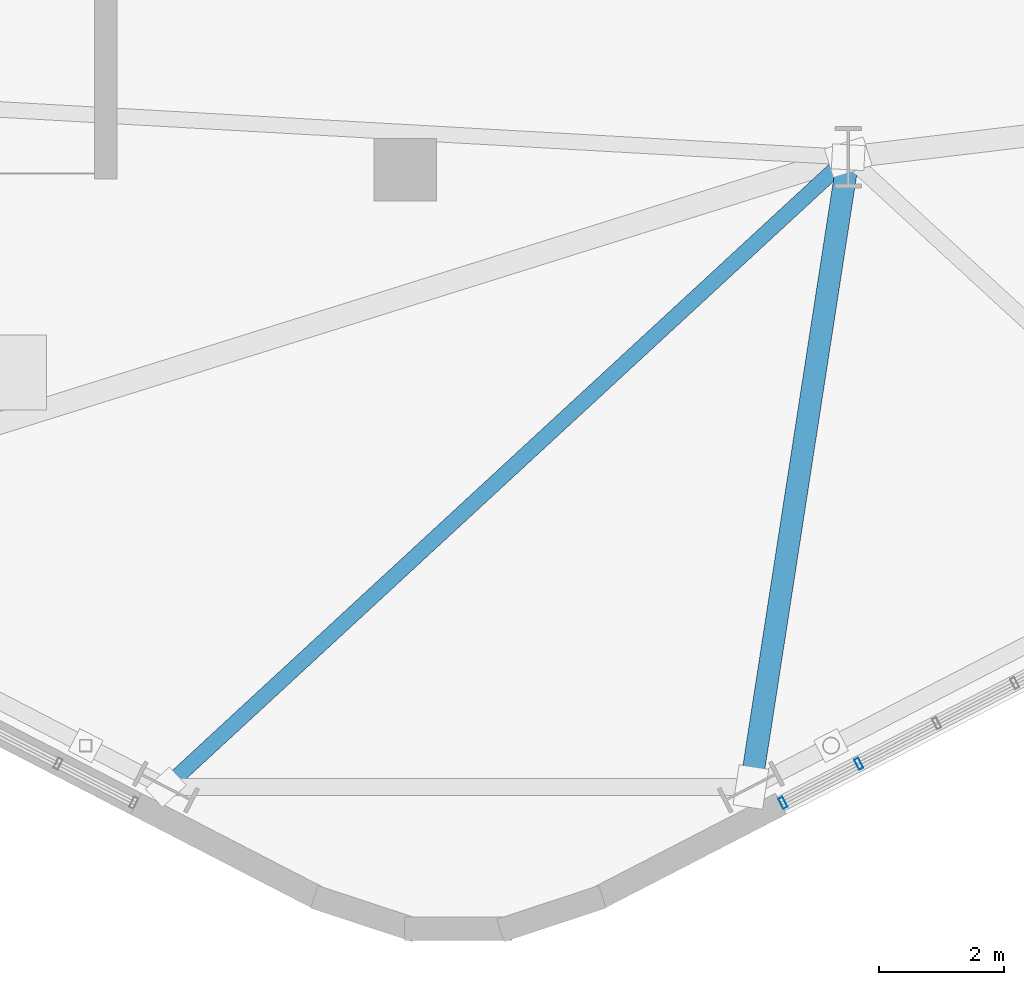
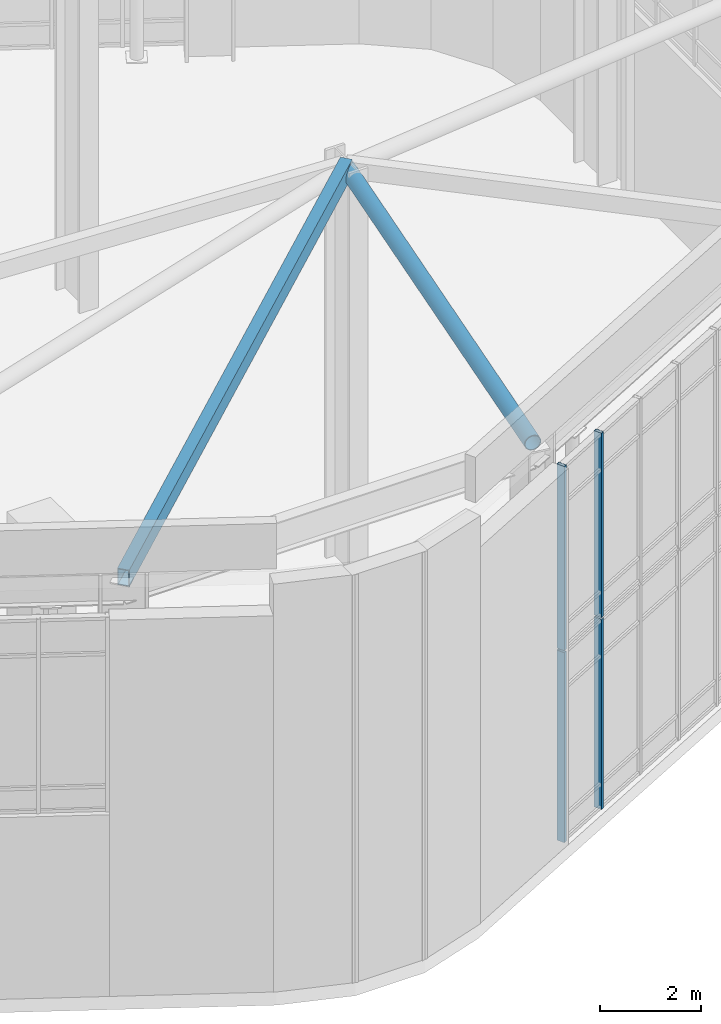
# One storey, part 5 of 23: 6 members, 2 elements without a shape of their own.
"""IFC4 building model written with IfcOpenShell, lengths in metres."""

import ifcopenshell
import ifcopenshell.guid

model = None  # the IFC model being written
_history = None  # IfcOwnerHistory: only IFC2X3 demands one
_inside = {}  # id of a spatial element -> (the spatial element, [elements in it])
_under = {}  # id of a project, library or spatial element -> (it, [spatial elements below it])
_declared = {}  # id of a project -> (the project, [libraries it declares])
_typed = {}  # id of a type object -> (the type object, [elements of that type])
_made_of = {}  # id of a material, layer set ... -> (it, [elements and type objects made of it])


def new_model(schema):
    """Start an empty IFC model of exactly this schema.

    Asked for "IFC4X3", IfcOpenShell would pick the latest addendum, in which some entities
    have other attributes; the version numbers below select the first issue.
    IFC2X3 requires an IfcOwnerHistory on every rooted entity: one is made here for all.
    """
    global model, _history
    if schema == "IFC4X3":
        model = ifcopenshell.file(schema_version=(4, 3, 0, 0))
    else:
        model = ifcopenshell.file(schema=schema)
    _inside.clear()
    _under.clear()
    _declared.clear()
    _typed.clear()
    _made_of.clear()
    _history = None
    if model.schema == "IFC2X3":
        org = make("IfcOrganization", Name="unknown")
        user = make(
            "IfcPersonAndOrganization",
            ThePerson=make("IfcPerson", FamilyName="unknown"),
            TheOrganization=org,
        )
        app = make(
            "IfcApplication",
            ApplicationDeveloper=org,
            Version="unknown",
            ApplicationFullName="unknown",
            ApplicationIdentifier="unknown",
        )
        _history = make(
            "IfcOwnerHistory",
            OwningUser=user,
            OwningApplication=app,
            ChangeAction="ADDED",
            CreationDate=0,
        )
    return model


def make(cls, **values):
    """One entity of the class cls with the attributes given. An attribute that is None is left unset."""
    return model.create_entity(
        cls, **{name: value for name, value in values.items() if value is not None}
    )


def rooted(cls, **values):
    """An entity with a GlobalId (a new one), such as an element, a storey or a relation."""
    return make(cls, GlobalId=ifcopenshell.guid.new(), OwnerHistory=_history, **values)


def si_unit(unit_type, name, prefix=None):
    """IfcSIUnit, for example si_unit("LENGTHUNIT", "METRE", prefix="MILLI")."""
    return make("IfcSIUnit", UnitType=unit_type, Prefix=prefix, Name=name)


def assignment(units):
    """IfcUnitAssignment: the units of a project."""
    return None if units is None else make("IfcUnitAssignment", Units=units)


def point(xyz):
    """IfcCartesianPoint."""
    return None if xyz is None else make("IfcCartesianPoint", Coordinates=xyz)


def direction(xyz):
    """IfcDirection."""
    return None if xyz is None else make("IfcDirection", DirectionRatios=xyz)


def frame(location, z_axis=None, x_axis=None):
    """IfcAxis2Placement3D, a coordinate frame: its origin and axes. An axis left out is left unset."""
    return make(
        "IfcAxis2Placement3D",
        Location=point(location),
        Axis=direction(z_axis),
        RefDirection=direction(x_axis),
    )


def frame_2d(location, x_axis=None):
    """IfcAxis2Placement2D, a coordinate frame in the plane: its origin and x axis."""
    return make(
        "IfcAxis2Placement2D", Location=point(location), RefDirection=direction(x_axis)
    )


def origin():
    """The frame at (0, 0, 0) with its axes left unset."""
    return frame((0.0, 0.0, 0.0))


def origin_2d():
    """The frame at (0, 0) in the plane with its x axis left unset."""
    return frame_2d((0.0, 0.0))


def place(relative_to, where):
    """IfcLocalPlacement: puts the frame where relative to a parent placement (None: the world)."""
    return make(
        "IfcLocalPlacement", PlacementRelTo=relative_to, RelativePlacement=where
    )


def context(
    kind, dimensions, precision=None, world=None, true_north=None, identifier=None
):
    """IfcGeometricRepresentationContext, for example the 3D "Model" context."""
    return make(
        "IfcGeometricRepresentationContext",
        ContextIdentifier=identifier,
        ContextType=kind,
        CoordinateSpaceDimension=dimensions,
        Precision=precision,
        WorldCoordinateSystem=world,
        TrueNorth=true_north,
    )


def subcontext(parent, identifier, kind, view, scale=None):
    """IfcGeometricRepresentationSubContext, for example "Body" below "Model"."""
    return make(
        "IfcGeometricRepresentationSubContext",
        ContextIdentifier=identifier,
        ContextType=kind,
        ParentContext=parent,
        TargetScale=scale,
        TargetView=view,
    )


def project(units=None, contexts=None):
    """IfcProject with its units and contexts."""
    return rooted(
        "IfcProject",
        Name="project",
        RepresentationContexts=contexts,
        UnitsInContext=assignment(units),
    )


def spatial(cls, under=None, at=None, **own):
    """A site, building, storey or space (cls), placed at a placement, below another one or the project."""
    s = rooted(cls, ObjectPlacement=at, **own)
    if under is not None:
        _under.setdefault(under.id(), (under, []))[1].append(s)
    return s


def profile(cls, at=None, kind="AREA", **sizes):
    """A parametric profile (cls). Its sizes go by their IFC names, for example OverallWidth=200.0."""
    return make(cls, ProfileType=kind, Position=at, **sizes)


def hollow_rectangle(**sizes):
    """IfcRectangleHollowProfileDef."""
    return profile("IfcRectangleHollowProfileDef", **sizes)


def hollow_circle(**sizes):
    """IfcCircleHollowProfileDef."""
    return profile("IfcCircleHollowProfileDef", **sizes)


def extrude(swept, where, along, depth):
    """IfcExtrudedAreaSolid: the profile swept, set in the frame where, extruded along a direction by depth."""
    return make(
        "IfcExtrudedAreaSolid",
        SweptArea=swept,
        Position=where,
        ExtrudedDirection=direction(along),
        Depth=depth,
    )


def shape(context_of_items, identifier, shape_type, items):
    """IfcShapeRepresentation: the items that make up one representation, for example the "Body"."""
    return make(
        "IfcShapeRepresentation",
        ContextOfItems=context_of_items,
        RepresentationIdentifier=identifier,
        RepresentationType=shape_type,
        Items=items,
    )


def material(Name=None, Category=None):
    """IfcMaterial."""
    return make("IfcMaterial", Name=Name, Category=Category)


def layer(
    of_material, thickness, ventilated=None, Name=None, Category=None, Priority=None
):
    """IfcMaterialLayer: one layer of a wall or slab, of a material (None: an air gap)."""
    return make(
        "IfcMaterialLayer",
        Material=of_material,
        LayerThickness=thickness,
        IsVentilated=ventilated,
        Name=Name,
        Category=Category,
        Priority=Priority,
    )


def layer_set(layers, Name=None):
    """IfcMaterialLayerSet."""
    return make("IfcMaterialLayerSet", MaterialLayers=layers, LayerSetName=Name)


def material_profile(
    of_material, cross_section, Name=None, Category=None, Priority=None
):
    """IfcMaterialProfile: a cross section and its material."""
    return make(
        "IfcMaterialProfile",
        Name=Name,
        Material=of_material,
        Profile=cross_section,
        Priority=Priority,
        Category=Category,
    )


def profile_set(profiles, Name=None, composite=None):
    """IfcMaterialProfileSet."""
    return make(
        "IfcMaterialProfileSet",
        Name=Name,
        MaterialProfiles=profiles,
        CompositeProfile=composite,
    )


def made_of(thing, what):
    """Note that an element or type object is made of a material, layer set ...; save() writes the relation."""
    if what is not None:
        _made_of.setdefault(what.id(), (what, []))[1].append(thing)
    return thing


def type_object(cls, material=None, **own):
    """A type object (cls), such as IfcWallType, which elements share."""
    return made_of(rooted(cls, **own), material)


def element(
    cls,
    number,
    at=None,
    inside=None,
    cuts=None,
    type_object=None,
    material=None,
    context=None,
    identifier="Body",
    shape_type=None,
    held_by="IfcProductDefinitionShape",
    body=None,
    shapes=None,
    **own,
):
    """One element of the class cls, such as IfcWall. Its Tag is "e" and its number.

    at: its placement. inside: the storey or other place that contains it. cuts: it is an
    opening in that element (IfcRelVoidsElement). A single representation is given by context,
    identifier, shape_type and body (its items); several are given by shapes. held_by: the class
    of the entity that holds the representations. save() writes the other relations.
    """
    e = rooted(cls, Tag="e%d" % number, ObjectPlacement=at, **own)
    if body is not None:
        shapes = [shape(context, identifier, shape_type, body)]
    if shapes is not None:
        e.Representation = make(held_by, Representations=shapes)
    if inside is not None:
        _inside.setdefault(inside.id(), (inside, []))[1].append(e)
    if cuts is not None:
        rooted(
            "IfcRelVoidsElement", RelatingBuildingElement=cuts, RelatedOpeningElement=e
        )
    if type_object is not None:
        _typed.setdefault(type_object.id(), (type_object, []))[1].append(e)
    return made_of(e, material)


def aggregate(whole, parts):
    """IfcRelAggregates: a whole, such as a stair, and the parts it consists of."""
    return rooted("IfcRelAggregates", RelatingObject=whole, RelatedObjects=parts)


def save(model, path):
    """Write the relations noted so far, then the file.

    IfcRelAggregates (storeys below a building ...), IfcRelContainedInSpatialStructure (elements
    in a storey), IfcRelDefinesByType, IfcRelAssociatesMaterial and IfcRelDeclares: one each for
    every whole, place, type object, material and project.
    """
    for whole, parts in _under.values():
        aggregate(whole, parts)
    for where, things in _inside.values():
        rooted(
            "IfcRelContainedInSpatialStructure",
            RelatedElements=things,
            RelatingStructure=where,
        )
    for kind, things in _typed.values():
        rooted("IfcRelDefinesByType", RelatedObjects=things, RelatingType=kind)
    for what, things in _made_of.values():
        rooted("IfcRelAssociatesMaterial", RelatedObjects=things, RelatingMaterial=what)
    for by, libraries in _declared.values():
        rooted("IfcRelDeclares", RelatingContext=by, RelatedDefinitions=libraries)
    model.write(path)


model = new_model("IFC4")

# Units and contexts
model_context = context("Model", 3, precision=1e-05, world=origin(), true_north=direction((0.0, 1.0)))
body_context = subcontext(model_context, "Body", "Model", "MODEL_VIEW")
ifc_project = project(units=[si_unit("LENGTHUNIT", "METRE"), si_unit("AREAUNIT", "SQUARE_METRE"), si_unit("VOLUMEUNIT", "CUBIC_METRE"), si_unit("PLANEANGLEUNIT", "RADIAN"), si_unit("MASSUNIT", "GRAM", prefix="KILO"), si_unit("THERMODYNAMICTEMPERATUREUNIT", "KELVIN"), si_unit("POWERUNIT", "WATT")], contexts=[model_context])

# Site, building, storey
site_placement = place(None, origin())
site = spatial("IfcSite", under=ifc_project, at=site_placement, CompositionType="ELEMENT")
building_placement = place(site_placement, origin())
building = spatial("IfcBuilding", under=site, at=building_placement, Name="Skarre Station Tower", CompositionType="ELEMENT")
storey_placement = place(building_placement, frame((0.0, 0.0, 291.300048828125)))
storey = spatial("IfcBuildingStorey", under=building, at=storey_placement, Name="RF", CompositionType="ELEMENT", Elevation=291.300048828125)

# Curtain wall, members
ifc_material_1 = material(Name="Thermally Broken Bronze-Anodized Aluminium & Triple Low-E Glass", Category="aluminium")
ifc_layer = layer(ifc_material_1, 0.179931640625, Name="Thermally Broken Bronze-Anodized Aluminium & Triple Low-E Glass")
ifc_layer_set = layer_set([ifc_layer], Name="Thermally Broken Bronze-Anodized Aluminium & Triple Low-E Glass")
curtain_wall_type = type_object("IfcCurtainWallType", Name="Nordic Bronze Crown Lantern Stick Curtain Wall", PredefinedType="NOTDEFINED", material=ifc_layer_set)
curtain_wall_1_placement = place(storey_placement, origin())
curtain_wall_1 = element("IfcCurtainWall", 1, at=curtain_wall_1_placement, inside=storey, type_object=curtain_wall_type, Name="RF Crown Lantern Lower Facet 4 Curtain Wall", PredefinedType="NOTDEFINED")
ifc_material_2 = material(Name="Anodized Aluminium 6063-T6", Category="aluminium")
ifc_material_profile_1 = material_profile(ifc_material_2, hollow_rectangle(XDim=0.074951171875, YDim=0.179931640625, WallThickness=0.00390625, at=origin_2d()), Name="Anodized Aluminium 6063-T6")
ifc_profile_set_1 = profile_set([ifc_material_profile_1], Name="Anodized Aluminium 6063-T6")
member_type_1 = type_object("IfcMemberType", Name="Curtain-Wall Unitised Tower Mullion 180x75", PredefinedType="MULLION", material=ifc_profile_set_1)
member_1_placement = place(storey_placement, frame((39.618896484375, 8.927978515625, 0.0), z_axis=(0.0, 0.0, 1.0), x_axis=(-0.888649250269, -0.458587516181, 0.0)))
member_1 = element("IfcMember", 2, at=member_1_placement, type_object=member_type_1, Name="RF Crown Lantern Lower Facet 4 Curtain Wall Mullion 6", PredefinedType="MULLION", context=body_context, shape_type="SweptSolid", body=[
    extrude(hollow_rectangle(XDim=0.074951171875, YDim=0.179931640625, WallThickness=0.00390625, at=origin_2d()), origin(), (0.0, 0.0, 1.0), 4.599853515625),
])
member_2_placement = place(storey_placement, frame((38.404052734375, 8.301025390625, 0.0), z_axis=(0.0, 0.0, 1.0), x_axis=(-0.888649250269, -0.458587516181, 0.0)))
member_2 = element("IfcMember", 3, at=member_2_placement, type_object=member_type_1, Name="RF Crown Lantern Lower Facet 4 Curtain Wall Mullion 7", PredefinedType="MULLION", context=body_context, shape_type="SweptSolid", body=[
    extrude(hollow_rectangle(XDim=0.074951171875, YDim=0.179931640625, WallThickness=0.00390625, at=origin_2d()), origin(), (0.0, 0.0, 1.0), 4.599853515625),
])
aggregate(curtain_wall_1, [member_1, member_2])

curtain_wall_2_placement = place(storey_placement, origin())
curtain_wall_2 = element("IfcCurtainWall", 4, at=curtain_wall_2_placement, inside=storey, type_object=curtain_wall_type, Name="RF Crown Lantern Upper Facet 4 Curtain Wall", PredefinedType="NOTDEFINED")
member_3_placement = place(storey_placement, frame((39.618896484375, 8.927978515625, 4.64990234375), z_axis=(0.0, 0.0, 1.0), x_axis=(-0.888649250269, -0.458587516181, 0.0)))
member_3 = element("IfcMember", 5, at=member_3_placement, type_object=member_type_1, Name="RF Crown Lantern Upper Facet 4 Curtain Wall Mullion 6", PredefinedType="MULLION", context=body_context, shape_type="SweptSolid", body=[
    extrude(hollow_rectangle(XDim=0.074951171875, YDim=0.179931640625, WallThickness=0.00390625, at=origin_2d()), origin(), (0.0, 0.0, 1.0), 4.4599609375),
])
member_4_placement = place(storey_placement, frame((38.404052734375, 8.301025390625, 4.64990234375), z_axis=(0.0, 0.0, 1.0), x_axis=(-0.888649250269, -0.458587516181, 0.0)))
member_4 = element("IfcMember", 6, at=member_4_placement, type_object=member_type_1, Name="RF Crown Lantern Upper Facet 4 Curtain Wall Mullion 7", PredefinedType="MULLION", context=body_context, shape_type="SweptSolid", body=[
    extrude(hollow_rectangle(XDim=0.074951171875, YDim=0.179931640625, WallThickness=0.00390625, at=origin_2d()), origin(), (0.0, 0.0, 1.0), 4.4599609375),
])
aggregate(curtain_wall_2, [member_3, member_4])

# Members
ifc_material_3 = material(Name="Steel ASTM A500 Grade C", Category="steel")
ifc_material_profile_2 = material_profile(ifc_material_3, hollow_circle(Radius=0.177978515625, WallThickness=0.01611328125, at=origin_2d()), Name="Steel ASTM A500 Grade C")
ifc_profile_set_2 = profile_set([ifc_material_profile_2], Name="Steel ASTM A500 Grade C")
member_type_2 = type_object("IfcMemberType", Name="Steel Truss Brace CHS356X16", PredefinedType="BRACE", material=ifc_profile_set_2)
member_5_placement = place(storey_placement, frame((37.888916015625, 8.552978515625, 9.659912109375), z_axis=(0.152789762931, 0.988258715288, 0.0), x_axis=(-0.988258715288, 0.152789762931, 0.0)))
element("IfcMember", 7, at=member_5_placement, inside=storey, type_object=member_type_2, Name="RF Crown Roof Diaphragm Brace 9", PredefinedType="BRACE", context=body_context, shape_type="SweptSolid", body=[
    extrude(hollow_circle(Radius=0.177978515625, WallThickness=0.01611328125, at=origin_2d()), origin(), (0.0, 0.0, 1.0), 10.216796875),
])
ifc_material_profile_3 = material_profile(ifc_material_3, hollow_rectangle(XDim=0.25, YDim=0.39990234375, WallThickness=0.01611328125, at=origin_2d()), Name="Steel ASTM A500 Grade C")
ifc_profile_set_3 = profile_set([ifc_material_profile_3], Name="Steel ASTM A500 Grade C")
member_type_3 = type_object("IfcMemberType", Name="Steel Truss Purlin HSS400X250X16", PredefinedType="PURLIN", material=ifc_profile_set_3)
member_6_placement = place(storey_placement, frame((39.449951171875, 18.64990234375, 9.679931640625), z_axis=(-0.734822935818, -0.678258986668, 0.0), x_axis=(0.678258986668, -0.734822935818, 0.0)))
element("IfcMember", 8, at=member_6_placement, inside=storey, type_object=member_type_3, Name="RF Crown Lantern Roof Purlin 8", PredefinedType="PURLIN", context=body_context, shape_type="SweptSolid", body=[
    extrude(hollow_rectangle(XDim=0.25, YDim=0.39990234375, WallThickness=0.01611328125, at=origin_2d()), origin(), (0.0, 0.0, 1.0), 14.886474609375),
])

save(model, "model.ifc")
